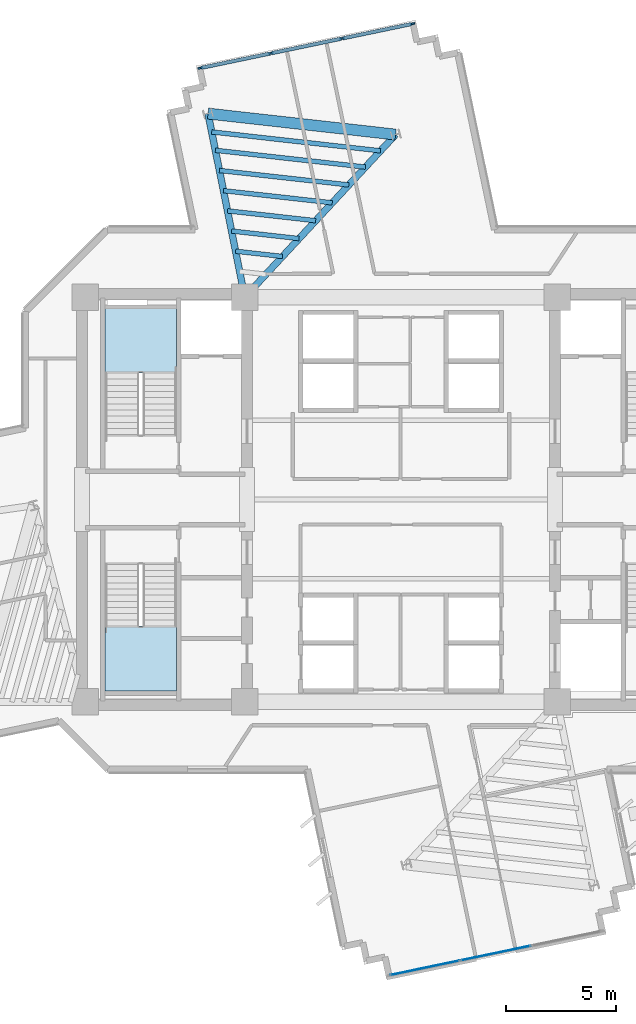
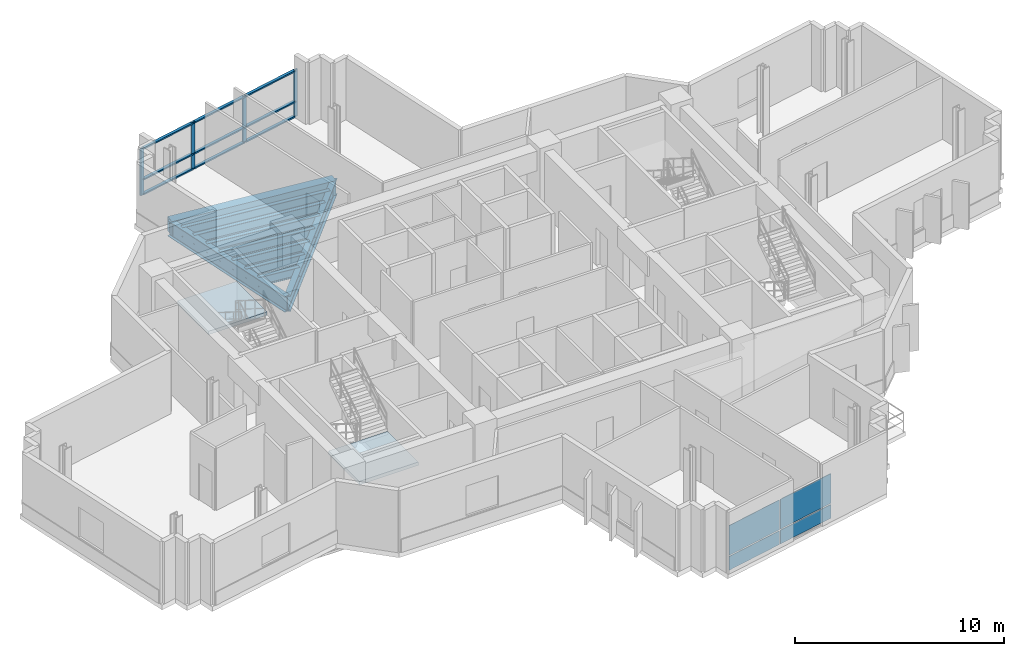
# One storey, part 5 of 14: 13 members, 10 beams, 4 plates, 2 slabs, 4 elements without a shape of their own.
"""IFC4 building model written with IfcOpenShell, lengths in metres."""

import ifcopenshell
import ifcopenshell.guid

model = None  # the IFC model being written
_history = None  # IfcOwnerHistory: only IFC2X3 demands one
_inside = {}  # id of a spatial element -> (the spatial element, [elements in it])
_under = {}  # id of a project, library or spatial element -> (it, [spatial elements below it])
_declared = {}  # id of a project -> (the project, [libraries it declares])
_typed = {}  # id of a type object -> (the type object, [elements of that type])
_made_of = {}  # id of a material, layer set ... -> (it, [elements and type objects made of it])


def new_model(schema):
    """Start an empty IFC model of exactly this schema.

    Asked for "IFC4X3", IfcOpenShell would pick the latest addendum, in which some entities
    have other attributes; the version numbers below select the first issue.
    IFC2X3 requires an IfcOwnerHistory on every rooted entity: one is made here for all.
    """
    global model, _history
    if schema == "IFC4X3":
        model = ifcopenshell.file(schema_version=(4, 3, 0, 0))
    else:
        model = ifcopenshell.file(schema=schema)
    _inside.clear()
    _under.clear()
    _declared.clear()
    _typed.clear()
    _made_of.clear()
    _history = None
    if model.schema == "IFC2X3":
        org = make("IfcOrganization", Name="unknown")
        user = make(
            "IfcPersonAndOrganization",
            ThePerson=make("IfcPerson", FamilyName="unknown"),
            TheOrganization=org,
        )
        app = make(
            "IfcApplication",
            ApplicationDeveloper=org,
            Version="unknown",
            ApplicationFullName="unknown",
            ApplicationIdentifier="unknown",
        )
        _history = make(
            "IfcOwnerHistory",
            OwningUser=user,
            OwningApplication=app,
            ChangeAction="ADDED",
            CreationDate=0,
        )
    return model


def make(cls, **values):
    """One entity of the class cls with the attributes given. An attribute that is None is left unset."""
    return model.create_entity(
        cls, **{name: value for name, value in values.items() if value is not None}
    )


def rooted(cls, **values):
    """An entity with a GlobalId (a new one), such as an element, a storey or a relation."""
    return make(cls, GlobalId=ifcopenshell.guid.new(), OwnerHistory=_history, **values)


def si_unit(unit_type, name, prefix=None):
    """IfcSIUnit, for example si_unit("LENGTHUNIT", "METRE", prefix="MILLI")."""
    return make("IfcSIUnit", UnitType=unit_type, Prefix=prefix, Name=name)


def assignment(units):
    """IfcUnitAssignment: the units of a project."""
    return None if units is None else make("IfcUnitAssignment", Units=units)


def point(xyz):
    """IfcCartesianPoint."""
    return None if xyz is None else make("IfcCartesianPoint", Coordinates=xyz)


def direction(xyz):
    """IfcDirection."""
    return None if xyz is None else make("IfcDirection", DirectionRatios=xyz)


def frame(location, z_axis=None, x_axis=None):
    """IfcAxis2Placement3D, a coordinate frame: its origin and axes. An axis left out is left unset."""
    return make(
        "IfcAxis2Placement3D",
        Location=point(location),
        Axis=direction(z_axis),
        RefDirection=direction(x_axis),
    )


def frame_2d(location, x_axis=None):
    """IfcAxis2Placement2D, a coordinate frame in the plane: its origin and x axis."""
    return make(
        "IfcAxis2Placement2D", Location=point(location), RefDirection=direction(x_axis)
    )


def origin():
    """The frame at (0, 0, 0) with its axes left unset."""
    return frame((0.0, 0.0, 0.0))


def origin_2d():
    """The frame at (0, 0) in the plane with its x axis left unset."""
    return frame_2d((0.0, 0.0))


def place(relative_to, where):
    """IfcLocalPlacement: puts the frame where relative to a parent placement (None: the world)."""
    return make(
        "IfcLocalPlacement", PlacementRelTo=relative_to, RelativePlacement=where
    )


def context(
    kind, dimensions, precision=None, world=None, true_north=None, identifier=None
):
    """IfcGeometricRepresentationContext, for example the 3D "Model" context."""
    return make(
        "IfcGeometricRepresentationContext",
        ContextIdentifier=identifier,
        ContextType=kind,
        CoordinateSpaceDimension=dimensions,
        Precision=precision,
        WorldCoordinateSystem=world,
        TrueNorth=true_north,
    )


def subcontext(parent, identifier, kind, view, scale=None):
    """IfcGeometricRepresentationSubContext, for example "Body" below "Model"."""
    return make(
        "IfcGeometricRepresentationSubContext",
        ContextIdentifier=identifier,
        ContextType=kind,
        ParentContext=parent,
        TargetScale=scale,
        TargetView=view,
    )


def project(units=None, contexts=None):
    """IfcProject with its units and contexts."""
    return rooted(
        "IfcProject",
        Name="project",
        RepresentationContexts=contexts,
        UnitsInContext=assignment(units),
    )


def spatial(cls, under=None, at=None, **own):
    """A site, building, storey or space (cls), placed at a placement, below another one or the project."""
    s = rooted(cls, ObjectPlacement=at, **own)
    if under is not None:
        _under.setdefault(under.id(), (under, []))[1].append(s)
    return s


def polyline(points):
    """IfcPolyline through the points."""
    return make("IfcPolyline", Points=[point(p) for p in points])


def profile(cls, at=None, kind="AREA", **sizes):
    """A parametric profile (cls). Its sizes go by their IFC names, for example OverallWidth=200.0."""
    return make(cls, ProfileType=kind, Position=at, **sizes)


def rectangle(**sizes):
    """IfcRectangleProfileDef."""
    return profile("IfcRectangleProfileDef", **sizes)


def i_section(**sizes):
    """IfcIShapeProfileDef."""
    return profile("IfcIShapeProfileDef", **sizes)


def outline(outer, holes=None, kind="AREA"):
    """IfcArbitraryClosedProfileDef: a profile drawn as a closed curve; with holes, ...WithVoids."""
    if holes is None:
        return make("IfcArbitraryClosedProfileDef", ProfileType=kind, OuterCurve=outer)
    return make(
        "IfcArbitraryProfileDefWithVoids",
        ProfileType=kind,
        OuterCurve=outer,
        InnerCurves=holes,
    )


def extrude(swept, where, along, depth):
    """IfcExtrudedAreaSolid: the profile swept, set in the frame where, extruded along a direction by depth."""
    return make(
        "IfcExtrudedAreaSolid",
        SweptArea=swept,
        Position=where,
        ExtrudedDirection=direction(along),
        Depth=depth,
    )


def shape(context_of_items, identifier, shape_type, items):
    """IfcShapeRepresentation: the items that make up one representation, for example the "Body"."""
    return make(
        "IfcShapeRepresentation",
        ContextOfItems=context_of_items,
        RepresentationIdentifier=identifier,
        RepresentationType=shape_type,
        Items=items,
    )


def source(mapping_origin, context_of_items, identifier, shape_type, items):
    """IfcRepresentationMap: a shape defined once, which mapped items show again and again."""
    return make(
        "IfcRepresentationMap",
        MappingOrigin=mapping_origin,
        MappedRepresentation=shape(context_of_items, identifier, shape_type, items),
    )


def transform(
    local_origin,
    x_axis=None,
    y_axis=None,
    z_axis=None,
    scale=None,
    scale2=None,
    scale3=None,
    uniform=True,
):
    """IfcCartesianTransformationOperator3D, or its non-uniform kind. x_axis, y_axis, z_axis: its Axis1, 2, 3."""
    if uniform:
        return make(
            "IfcCartesianTransformationOperator3D",
            Axis1=direction(x_axis),
            Axis2=direction(y_axis),
            LocalOrigin=point(local_origin),
            Scale=scale,
            Axis3=direction(z_axis),
        )
    return make(
        "IfcCartesianTransformationOperator3DnonUniform",
        Axis1=direction(x_axis),
        Axis2=direction(y_axis),
        LocalOrigin=point(local_origin),
        Scale=scale,
        Axis3=direction(z_axis),
        Scale2=scale2,
        Scale3=scale3,
    )


def mapped(mapping_source, mapping_target):
    """IfcMappedItem: shows the shape of a source again, moved by a transform."""
    return make(
        "IfcMappedItem", MappingSource=mapping_source, MappingTarget=mapping_target
    )


def material(Name=None, Category=None):
    """IfcMaterial."""
    return make("IfcMaterial", Name=Name, Category=Category)


def layer(
    of_material, thickness, ventilated=None, Name=None, Category=None, Priority=None
):
    """IfcMaterialLayer: one layer of a wall or slab, of a material (None: an air gap)."""
    return make(
        "IfcMaterialLayer",
        Material=of_material,
        LayerThickness=thickness,
        IsVentilated=ventilated,
        Name=Name,
        Category=Category,
        Priority=Priority,
    )


def layer_set(layers, Name=None):
    """IfcMaterialLayerSet."""
    return make("IfcMaterialLayerSet", MaterialLayers=layers, LayerSetName=Name)


def material_profile(
    of_material, cross_section, Name=None, Category=None, Priority=None
):
    """IfcMaterialProfile: a cross section and its material."""
    return make(
        "IfcMaterialProfile",
        Name=Name,
        Material=of_material,
        Profile=cross_section,
        Priority=Priority,
        Category=Category,
    )


def profile_set(profiles, Name=None, composite=None):
    """IfcMaterialProfileSet."""
    return make(
        "IfcMaterialProfileSet",
        Name=Name,
        MaterialProfiles=profiles,
        CompositeProfile=composite,
    )


def made_of(thing, what):
    """Note that an element or type object is made of a material, layer set ...; save() writes the relation."""
    if what is not None:
        _made_of.setdefault(what.id(), (what, []))[1].append(thing)
    return thing


def type_object(cls, material=None, **own):
    """A type object (cls), such as IfcWallType, which elements share."""
    return made_of(rooted(cls, **own), material)


def element(
    cls,
    number,
    at=None,
    inside=None,
    cuts=None,
    type_object=None,
    material=None,
    context=None,
    identifier="Body",
    shape_type=None,
    held_by="IfcProductDefinitionShape",
    body=None,
    shapes=None,
    **own,
):
    """One element of the class cls, such as IfcWall. Its Tag is "e" and its number.

    at: its placement. inside: the storey or other place that contains it. cuts: it is an
    opening in that element (IfcRelVoidsElement). A single representation is given by context,
    identifier, shape_type and body (its items); several are given by shapes. held_by: the class
    of the entity that holds the representations. save() writes the other relations.
    """
    e = rooted(cls, Tag="e%d" % number, ObjectPlacement=at, **own)
    if body is not None:
        shapes = [shape(context, identifier, shape_type, body)]
    if shapes is not None:
        e.Representation = make(held_by, Representations=shapes)
    if inside is not None:
        _inside.setdefault(inside.id(), (inside, []))[1].append(e)
    if cuts is not None:
        rooted(
            "IfcRelVoidsElement", RelatingBuildingElement=cuts, RelatedOpeningElement=e
        )
    if type_object is not None:
        _typed.setdefault(type_object.id(), (type_object, []))[1].append(e)
    return made_of(e, material)


def aggregate(whole, parts):
    """IfcRelAggregates: a whole, such as a stair, and the parts it consists of."""
    return rooted("IfcRelAggregates", RelatingObject=whole, RelatedObjects=parts)


def save(model, path):
    """Write the relations noted so far, then the file.

    IfcRelAggregates (storeys below a building ...), IfcRelContainedInSpatialStructure (elements
    in a storey), IfcRelDefinesByType, IfcRelAssociatesMaterial and IfcRelDeclares: one each for
    every whole, place, type object, material and project.
    """
    for whole, parts in _under.values():
        aggregate(whole, parts)
    for where, things in _inside.values():
        rooted(
            "IfcRelContainedInSpatialStructure",
            RelatedElements=things,
            RelatingStructure=where,
        )
    for kind, things in _typed.values():
        rooted("IfcRelDefinesByType", RelatedObjects=things, RelatingType=kind)
    for what, things in _made_of.values():
        rooted("IfcRelAssociatesMaterial", RelatedObjects=things, RelatingMaterial=what)
    for by, libraries in _declared.values():
        rooted("IfcRelDeclares", RelatingContext=by, RelatedDefinitions=libraries)
    model.write(path)


model = new_model("IFC4")

# Units and contexts
model_context = context("Model", 3, precision=1e-05, world=origin(), true_north=direction((0.0, 1.0)))
body_context = subcontext(model_context, "Body", "Model", "MODEL_VIEW")
ifc_project = project(units=[si_unit("LENGTHUNIT", "METRE"), si_unit("AREAUNIT", "SQUARE_METRE"), si_unit("VOLUMEUNIT", "CUBIC_METRE"), si_unit("PLANEANGLEUNIT", "RADIAN"), si_unit("MASSUNIT", "GRAM", prefix="KILO")], contexts=[model_context])

# Site, building, storey
site_placement = place(None, origin())
site = spatial("IfcSite", under=ifc_project, at=site_placement, CompositionType="ELEMENT")
building_placement = place(site_placement, origin())
building = spatial("IfcBuilding", under=site, at=building_placement, Name="Zahravan Cultural Tower", CompositionType="ELEMENT")
storey_placement = place(building_placement, frame((0.0, 0.0, 159.0)))
storey = spatial("IfcBuildingStorey", under=building, at=storey_placement, Name="L36", CompositionType="ELEMENT", Elevation=159.0)

# Beams
ifc_material_1 = material(Name="Steel ASTM A992 Grade 50", Category="steel")
ifc_material_profile_1 = material_profile(ifc_material_1, i_section(OverallWidth=0.304931640625, OverallDepth=0.9189453125, WebThickness=0.017333984375, FlangeThickness=0.02783203125, FilletRadius=0.02392578125, at=origin_2d()), Name="W36X170")
ifc_profile_set_1 = profile_set([ifc_material_profile_1], Name="Steel ASTM A992 Grade 50")
beam_type_1 = type_object("IfcBeamType", Name="BM-G-W36X170", PredefinedType="BEAM", material=ifc_profile_set_1)
shared_shape_1 = source(origin(), body_context, "Body", "SweptSolid", [
    extrude(i_section(OverallWidth=0.304931640625, OverallDepth=0.9189453125, WebThickness=0.017333984375, FlangeThickness=0.02783203125, FilletRadius=0.02392578125, at=origin_2d()), origin(), (0.0, 0.0, 1.0), 10.077880859375),
])
beam_1_placement = place(storey_placement, frame((28.89990234375, 36.199951171875, -0.739501953125), z_axis=(0.680170435587, 0.733054007938, 0.0), x_axis=(-0.733054007938, 0.680170435587, 0.0)))
element("IfcBeam", 1, at=beam_1_placement, inside=storey, type_object=beam_type_1, Name="L36 Beam BG-L36-13", PredefinedType="BEAM", context=body_context, shape_type="MappedRepresentation", body=[
    mapped(shared_shape_1, transform((0.0, 0.0, 0.0), x_axis=(1.0, 0.0, 0.0), y_axis=(0.0, 1.0, 0.0), z_axis=(0.0, 0.0, 1.0), scale=1.0)),
])
shared_shape_2 = source(origin(), body_context, "Body", "SweptSolid", [
    extrude(i_section(OverallWidth=0.304931640625, OverallDepth=0.9189453125, WebThickness=0.017333984375, FlangeThickness=0.02783203125, FilletRadius=0.02392578125, at=origin_2d()), origin(), (0.0, 0.0, 1.0), 8.50732421875),
])
beam_2_placement = place(storey_placement, frame((28.89990234375, 36.199951171875, -0.739501953125), z_axis=(-0.196524514012, 0.980498911469, 0.0), x_axis=(-0.980498911469, -0.196524514012, 0.0)))
element("IfcBeam", 2, at=beam_2_placement, inside=storey, type_object=beam_type_1, Name="L36 Beam BG-L36-14", PredefinedType="BEAM", context=body_context, shape_type="MappedRepresentation", body=[
    mapped(shared_shape_2, transform((0.0, 0.0, 0.0), x_axis=(1.0, 0.0, 0.0), y_axis=(0.0, 1.0, 0.0), z_axis=(0.0, 0.0, 1.0), scale=1.0)),
])
ifc_material_2 = material(Name="Concrete C50/60", Category="concrete")
ifc_material_profile_2 = material_profile(ifc_material_2, rectangle(XDim=0.5, YDim=0.85009765625, at=origin_2d()), Name="RC500X850")
ifc_profile_set_2 = profile_set([ifc_material_profile_2], Name="Concrete C50/60")
beam_type_2 = type_object("IfcBeamType", Name="BM-SP-RC500X850", PredefinedType="SPANDREL", material=ifc_profile_set_2)
shared_shape_3 = source(origin(), body_context, "Body", "SweptSolid", [
    extrude(rectangle(XDim=0.5, YDim=0.85009765625, at=origin_2d()), origin(), (0.0, 0.0, 1.0), 8.579833984375),
])
beam_3_placement = place(storey_placement, frame((35.754638671875, 43.587646484375, -0.705078125), z_axis=(-0.9938040105, 0.11114669907, 0.0), x_axis=(-0.11114669907, -0.9938040105, 0.0)))
element("IfcBeam", 3, at=beam_3_placement, inside=storey, type_object=beam_type_2, Name="L36 Beam SP-L36-22", PredefinedType="SPANDREL", context=body_context, shape_type="MappedRepresentation", body=[
    mapped(shared_shape_3, transform((0.0, 0.0, 0.0), x_axis=(1.0, 0.0, 0.0), y_axis=(0.0, 1.0, 0.0), z_axis=(0.0, 0.0, 1.0), scale=1.0)),
])
ifc_material_profile_3 = material_profile(ifc_material_1, i_section(OverallWidth=0.2099609375, OverallDepth=0.532958984375, WebThickness=0.01025390625, FlangeThickness=0.015625, FilletRadius=0.013916015625, at=origin_2d()), Name="W21X62")
ifc_profile_set_3 = profile_set([ifc_material_profile_3], Name="Steel ASTM A992 Grade 50")
beam_type_3 = type_object("IfcBeamType", Name="BM-J-W21X62", PredefinedType="JOIST", material=ifc_profile_set_3)
shared_shape_4 = source(origin(), body_context, "Body", "SweptSolid", [
    extrude(i_section(OverallWidth=0.2099609375, OverallDepth=0.532958984375, WebThickness=0.01025390625, FlangeThickness=0.015625, FilletRadius=0.013916015625, at=origin_2d()), origin(), (0.0, 0.0, 1.0), 2.144775390625),
])
beam_4_placement = place(storey_placement, frame((30.613525390625, 38.046875, -0.54638671875), z_axis=(-0.993797370806, 0.111206051, 0.0), x_axis=(-0.111206051, -0.993797370806, 0.0)))
element("IfcBeam", 4, at=beam_4_placement, inside=storey, type_object=beam_type_3, Name="L36 Beam BJ-L36-51", PredefinedType="JOIST", context=body_context, shape_type="MappedRepresentation", body=[
    mapped(shared_shape_4, transform((0.0, 0.0, 0.0), x_axis=(1.0, 0.0, 0.0), y_axis=(0.0, 1.0, 0.0), z_axis=(0.0, 0.0, 1.0), scale=1.0)),
])
shared_shape_5 = source(origin(), body_context, "Body", "SweptSolid", [
    extrude(i_section(OverallWidth=0.2099609375, OverallDepth=0.532958984375, WebThickness=0.01025390625, FlangeThickness=0.015625, FilletRadius=0.013916015625, at=origin_2d()), origin(), (0.0, 0.0, 1.0), 3.088623046875),
])
beam_5_placement = place(storey_placement, frame((31.36767578125, 38.859619140625, -0.54638671875), z_axis=(-0.993805407368, 0.111134208443, 0.0), x_axis=(-0.111134208443, -0.993805407368, 0.0)))
element("IfcBeam", 5, at=beam_5_placement, inside=storey, type_object=beam_type_3, Name="L36 Beam BJ-L36-52", PredefinedType="JOIST", context=body_context, shape_type="MappedRepresentation", body=[
    mapped(shared_shape_5, transform((0.0, 0.0, 0.0), x_axis=(1.0, 0.0, 0.0), y_axis=(0.0, 1.0, 0.0), z_axis=(0.0, 0.0, 1.0), scale=1.0)),
])
shared_shape_6 = source(origin(), body_context, "Body", "SweptSolid", [
    extrude(i_section(OverallWidth=0.2099609375, OverallDepth=0.532958984375, WebThickness=0.01025390625, FlangeThickness=0.015625, FilletRadius=0.013916015625, at=origin_2d()), origin(), (0.0, 0.0, 1.0), 4.0322265625),
])
beam_6_placement = place(storey_placement, frame((32.12158203125, 39.672119140625, -0.54638671875), z_axis=(-0.993802245601, 0.11116247855, 0.0), x_axis=(-0.11116247855, -0.993802245601, 0.0)))
element("IfcBeam", 6, at=beam_6_placement, inside=storey, type_object=beam_type_3, Name="L36 Beam BJ-L36-53", PredefinedType="JOIST", context=body_context, shape_type="MappedRepresentation", body=[
    mapped(shared_shape_6, transform((0.0, 0.0, 0.0), x_axis=(1.0, 0.0, 0.0), y_axis=(0.0, 1.0, 0.0), z_axis=(0.0, 0.0, 1.0), scale=1.0)),
])
shared_shape_7 = source(origin(), body_context, "Body", "SweptSolid", [
    extrude(i_section(OverallWidth=0.2099609375, OverallDepth=0.532958984375, WebThickness=0.01025390625, FlangeThickness=0.015625, FilletRadius=0.013916015625, at=origin_2d()), origin(), (0.0, 0.0, 1.0), 4.97607421875),
])
beam_7_placement = place(storey_placement, frame((32.875732421875, 40.48486328125, -0.54638671875), z_axis=(-0.993806308517, 0.111126149723, 0.0), x_axis=(-0.111126149723, -0.993806308517, 0.0)))
element("IfcBeam", 7, at=beam_7_placement, inside=storey, type_object=beam_type_3, Name="L36 Beam BJ-L36-54", PredefinedType="JOIST", context=body_context, shape_type="MappedRepresentation", body=[
    mapped(shared_shape_7, transform((0.0, 0.0, 0.0), x_axis=(1.0, 0.0, 0.0), y_axis=(0.0, 1.0, 0.0), z_axis=(0.0, 0.0, 1.0), scale=1.0)),
])
shared_shape_8 = source(origin(), body_context, "Body", "SweptSolid", [
    extrude(i_section(OverallWidth=0.2099609375, OverallDepth=0.532958984375, WebThickness=0.01025390625, FlangeThickness=0.015625, FilletRadius=0.013916015625, at=origin_2d()), origin(), (0.0, 0.0, 1.0), 5.919921875),
])
beam_8_placement = place(storey_placement, frame((33.629638671875, 41.29736328125, -0.54638671875), z_axis=(-0.993804520866, 0.111142135602, 0.0), x_axis=(-0.111142135602, -0.993804520866, 0.0)))
element("IfcBeam", 8, at=beam_8_placement, inside=storey, type_object=beam_type_3, Name="L36 Beam BJ-L36-55", PredefinedType="JOIST", context=body_context, shape_type="MappedRepresentation", body=[
    mapped(shared_shape_8, transform((0.0, 0.0, 0.0), x_axis=(1.0, 0.0, 0.0), y_axis=(0.0, 1.0, 0.0), z_axis=(0.0, 0.0, 1.0), scale=1.0)),
])
shared_shape_9 = source(origin(), body_context, "Body", "SweptSolid", [
    extrude(i_section(OverallWidth=0.2099609375, OverallDepth=0.532958984375, WebThickness=0.01025390625, FlangeThickness=0.015625, FilletRadius=0.013916015625, at=origin_2d()), origin(), (0.0, 0.0, 1.0), 6.86376953125),
])
beam_9_placement = place(storey_placement, frame((34.3837890625, 42.110107421875, -0.54638671875), z_axis=(-0.993803224695, 0.111153725024, 0.0), x_axis=(-0.111153725024, -0.993803224695, 0.0)))
element("IfcBeam", 9, at=beam_9_placement, inside=storey, type_object=beam_type_3, Name="L36 Beam BJ-L36-56", PredefinedType="JOIST", context=body_context, shape_type="MappedRepresentation", body=[
    mapped(shared_shape_9, transform((0.0, 0.0, 0.0), x_axis=(1.0, 0.0, 0.0), y_axis=(0.0, 1.0, 0.0), z_axis=(0.0, 0.0, 1.0), scale=1.0)),
])
shared_shape_10 = source(origin(), body_context, "Body", "SweptSolid", [
    extrude(i_section(OverallWidth=0.2099609375, OverallDepth=0.532958984375, WebThickness=0.01025390625, FlangeThickness=0.015625, FilletRadius=0.013916015625, at=origin_2d()), origin(), (0.0, 0.0, 1.0), 7.7216796875),
])
beam_10_placement = place(storey_placement, frame((35.069091796875, 42.848876953125, -0.54638671875), z_axis=(-0.993805212115, 0.11113595446, 0.0), x_axis=(-0.11113595446, -0.993805212115, 0.0)))
element("IfcBeam", 10, at=beam_10_placement, inside=storey, type_object=beam_type_3, Name="L36 Beam BJ-L36-57", PredefinedType="JOIST", context=body_context, shape_type="MappedRepresentation", body=[
    mapped(shared_shape_10, transform((0.0, 0.0, 0.0), x_axis=(1.0, 0.0, 0.0), y_axis=(0.0, 1.0, 0.0), z_axis=(0.0, 0.0, 1.0), scale=1.0)),
])

# Curtain wall, members
ifc_material_3 = material(Name="Anodised bronze-aluminium mullion", Category="aluminium")
ifc_layer_1 = layer(ifc_material_3, 0.219970703125)
ifc_layer_set_1 = layer_set([ifc_layer_1], Name="Anodised bronze-aluminium mullion")
curtain_wall_type_1 = type_object("IfcCurtainWallType", Name="CW-SYS-1", PredefinedType="USERDEFINED", material=ifc_layer_set_1)
curtain_wall_1_placement = place(storey_placement, origin())
curtain_wall_1 = element("IfcCurtainWall", 11, at=curtain_wall_1_placement, inside=storey, type_object=curtain_wall_type_1, Name="L36 Recessed Curtain Wall CW-1.2", ObjectType="RECESSED GLAZING", PredefinedType="USERDEFINED")
ifc_material_profile_4 = material_profile(ifc_material_3, rectangle(XDim=0.159912109375, YDim=0.080078125, at=origin_2d()), Name="AL-T80X160")
ifc_profile_set_4 = profile_set([ifc_material_profile_4], Name="Anodised bronze-aluminium mullion")
member_type_1 = type_object("IfcMemberType", Name="CWT-CW-1", PredefinedType="USERDEFINED", material=ifc_profile_set_4)
shared_shape_11 = source(origin(), body_context, "Body", "SweptSolid", [
    extrude(rectangle(XDim=0.159912109375, YDim=0.080078125, at=origin_2d()), origin(), (0.0, 0.0, 1.0), 3.186767578125),
])
member_1_placement = place(storey_placement, frame((26.923095703125, 46.6201171875, 0.0400390625), z_axis=(0.978935780904, 0.204168403202, 0.0), x_axis=(-0.204168403202, 0.978935780904, 0.0)))
member_1 = element("IfcMember", 12, at=member_1_placement, type_object=member_type_1, Name="CW-1 transom 1.1", ObjectType="TRANSOM", PredefinedType="USERDEFINED", context=body_context, shape_type="MappedRepresentation", body=[
    mapped(shared_shape_11, transform((0.0, 0.0, 0.0), x_axis=(1.0, 0.0, 0.0), y_axis=(0.0, 1.0, 0.0), z_axis=(0.0, 0.0, 1.0), scale=1.0)),
])
member_2_placement = place(storey_placement, frame((26.923095703125, 46.6201171875, 0.89990234375), z_axis=(0.978935780904, 0.204168403202, 0.0), x_axis=(-0.204168403202, 0.978935780904, 0.0)))
member_2 = element("IfcMember", 13, at=member_2_placement, type_object=member_type_1, Name="CW-1 transom 1.2", ObjectType="TRANSOM", PredefinedType="USERDEFINED", context=body_context, shape_type="MappedRepresentation", body=[
    mapped(shared_shape_11, transform((0.0, 0.0, 0.0), x_axis=(1.0, 0.0, 0.0), y_axis=(0.0, 1.0, 0.0), z_axis=(0.0, 0.0, 1.0), scale=1.0)),
])
member_3_placement = place(storey_placement, frame((26.923095703125, 46.6201171875, 2.699951171875), z_axis=(0.978935780904, 0.204168403202, 0.0), x_axis=(-0.204168403202, 0.978935780904, 0.0)))
member_3 = element("IfcMember", 14, at=member_3_placement, type_object=member_type_1, Name="CW-1 transom 1.3", ObjectType="TRANSOM", PredefinedType="USERDEFINED", context=body_context, shape_type="MappedRepresentation", body=[
    mapped(shared_shape_11, transform((0.0, 0.0, 0.0), x_axis=(1.0, 0.0, 0.0), y_axis=(0.0, 1.0, 0.0), z_axis=(0.0, 0.0, 1.0), scale=1.0)),
])
member_4_placement = place(storey_placement, frame((33.358154296875, 47.962158203125, 0.0400390625), z_axis=(0.978935780904, 0.204168403202, 0.0), x_axis=(-0.204168403202, 0.978935780904, 0.0)))
member_4 = element("IfcMember", 15, at=member_4_placement, type_object=member_type_1, Name="CW-1 transom 3.1", ObjectType="TRANSOM", PredefinedType="USERDEFINED", context=body_context, shape_type="MappedRepresentation", body=[
    mapped(shared_shape_11, transform((0.0, 0.0, 0.0), x_axis=(1.0, 0.0, 0.0), y_axis=(0.0, 1.0, 0.0), z_axis=(0.0, 0.0, 1.0), scale=1.0)),
])
member_5_placement = place(storey_placement, frame((33.358154296875, 47.962158203125, 0.89990234375), z_axis=(0.978935780904, 0.204168403202, 0.0), x_axis=(-0.204168403202, 0.978935780904, 0.0)))
member_5 = element("IfcMember", 16, at=member_5_placement, type_object=member_type_1, Name="CW-1 transom 3.2", ObjectType="TRANSOM", PredefinedType="USERDEFINED", context=body_context, shape_type="MappedRepresentation", body=[
    mapped(shared_shape_11, transform((0.0, 0.0, 0.0), x_axis=(1.0, 0.0, 0.0), y_axis=(0.0, 1.0, 0.0), z_axis=(0.0, 0.0, 1.0), scale=1.0)),
])
member_6_placement = place(storey_placement, frame((33.358154296875, 47.962158203125, 2.699951171875), z_axis=(0.978935780904, 0.204168403202, 0.0), x_axis=(-0.204168403202, 0.978935780904, 0.0)))
member_6 = element("IfcMember", 17, at=member_6_placement, type_object=member_type_1, Name="CW-1 transom 3.3", ObjectType="TRANSOM", PredefinedType="USERDEFINED", context=body_context, shape_type="MappedRepresentation", body=[
    mapped(shared_shape_11, transform((0.0, 0.0, 0.0), x_axis=(1.0, 0.0, 0.0), y_axis=(0.0, 1.0, 0.0), z_axis=(0.0, 0.0, 1.0), scale=1.0)),
])
ifc_material_profile_5 = material_profile(ifc_material_3, rectangle(XDim=0.080078125, YDim=0.219970703125, at=origin_2d()), Name="AL-M80X220")
ifc_profile_set_5 = profile_set([ifc_material_profile_5], Name="Anodised bronze-aluminium mullion")
member_type_2 = type_object("IfcMemberType", Name="CWM-CW-1", PredefinedType="MULLION", material=ifc_profile_set_5)
shared_shape_12 = source(origin(), body_context, "Body", "SweptSolid", [
    extrude(rectangle(XDim=0.080078125, YDim=0.219970703125, at=origin_2d()), origin(), (0.0, 0.0, 1.0), 2.739990234375),
])
member_7_placement = place(storey_placement, frame((26.884033203125, 46.612060546875, 0.0), z_axis=(0.0, 0.0, 1.0), x_axis=(-0.204162369415, 0.978937039301, 0.0)))
member_7 = element("IfcMember", 18, at=member_7_placement, type_object=member_type_2, Name="CW-1 mullion 1", PredefinedType="MULLION", context=body_context, shape_type="MappedRepresentation", body=[
    mapped(shared_shape_12, transform((0.0, 0.0, 0.0), x_axis=(1.0, 0.0, 0.0), y_axis=(0.0, 1.0, 0.0), z_axis=(0.0, 0.0, 1.0), scale=1.0)),
])
member_8_placement = place(storey_placement, frame((30.08203125, 47.27880859375, 0.0), z_axis=(0.0, 0.0, 1.0), x_axis=(-0.204162369415, 0.978937039301, 0.0)))
member_8 = element("IfcMember", 19, at=member_8_placement, type_object=member_type_2, Name="CW-1 mullion 2", PredefinedType="MULLION", context=body_context, shape_type="MappedRepresentation", body=[
    mapped(shared_shape_12, transform((0.0, 0.0, 0.0), x_axis=(1.0, 0.0, 0.0), y_axis=(0.0, 1.0, 0.0), z_axis=(0.0, 0.0, 1.0), scale=1.0)),
])
member_9_placement = place(storey_placement, frame((33.31884765625, 47.9541015625, 0.0), z_axis=(0.0, 0.0, 1.0), x_axis=(-0.204162369415, 0.978937039301, 0.0)))
member_9 = element("IfcMember", 20, at=member_9_placement, type_object=member_type_2, Name="CW-1 mullion 3", PredefinedType="MULLION", context=body_context, shape_type="MappedRepresentation", body=[
    mapped(shared_shape_12, transform((0.0, 0.0, 0.0), x_axis=(1.0, 0.0, 0.0), y_axis=(0.0, 1.0, 0.0), z_axis=(0.0, 0.0, 1.0), scale=1.0)),
])
member_10_placement = place(storey_placement, frame((36.516845703125, 48.620849609375, 0.0), z_axis=(0.0, 0.0, 1.0), x_axis=(-0.204162369415, 0.978937039301, 0.0)))
member_10 = element("IfcMember", 21, at=member_10_placement, type_object=member_type_2, Name="CW-1 mullion 4", PredefinedType="MULLION", context=body_context, shape_type="MappedRepresentation", body=[
    mapped(shared_shape_12, transform((0.0, 0.0, 0.0), x_axis=(1.0, 0.0, 0.0), y_axis=(0.0, 1.0, 0.0), z_axis=(0.0, 0.0, 1.0), scale=1.0)),
])
shared_shape_13 = source(origin(), body_context, "Body", "SweptSolid", [
    extrude(rectangle(XDim=0.159912109375, YDim=0.080078125, at=origin_2d()), origin(), (0.0, 0.0, 1.0), 3.2265625),
])
member_11_placement = place(storey_placement, frame((30.12109375, 47.287109375, 0.0400390625), z_axis=(0.978941373772, 0.204141584977, 0.0), x_axis=(-0.204141584977, 0.978941373772, 0.0)))
member_11 = element("IfcMember", 22, at=member_11_placement, type_object=member_type_1, Name="CW-1 transom 2.1", ObjectType="TRANSOM", PredefinedType="USERDEFINED", context=body_context, shape_type="MappedRepresentation", body=[
    mapped(shared_shape_13, transform((0.0, 0.0, 0.0), x_axis=(1.0, 0.0, 0.0), y_axis=(0.0, 1.0, 0.0), z_axis=(0.0, 0.0, 1.0), scale=1.0)),
])
member_12_placement = place(storey_placement, frame((30.12109375, 47.287109375, 0.89990234375), z_axis=(0.978941373772, 0.204141584977, 0.0), x_axis=(-0.204141584977, 0.978941373772, 0.0)))
member_12 = element("IfcMember", 23, at=member_12_placement, type_object=member_type_1, Name="CW-1 transom 2.2", ObjectType="TRANSOM", PredefinedType="USERDEFINED", context=body_context, shape_type="MappedRepresentation", body=[
    mapped(shared_shape_13, transform((0.0, 0.0, 0.0), x_axis=(1.0, 0.0, 0.0), y_axis=(0.0, 1.0, 0.0), z_axis=(0.0, 0.0, 1.0), scale=1.0)),
])
member_13_placement = place(storey_placement, frame((30.12109375, 47.287109375, 2.699951171875), z_axis=(0.978941373772, 0.204141584977, 0.0), x_axis=(-0.204141584977, 0.978941373772, 0.0)))
member_13 = element("IfcMember", 24, at=member_13_placement, type_object=member_type_1, Name="CW-1 transom 2.3", ObjectType="TRANSOM", PredefinedType="USERDEFINED", context=body_context, shape_type="MappedRepresentation", body=[
    mapped(shared_shape_13, transform((0.0, 0.0, 0.0), x_axis=(1.0, 0.0, 0.0), y_axis=(0.0, 1.0, 0.0), z_axis=(0.0, 0.0, 1.0), scale=1.0)),
])
aggregate(curtain_wall_1, [member_7, member_8, member_9, member_10, member_1, member_2, member_3, member_11, member_12, member_13, member_4, member_5, member_6])

# Stair, slab
ifc_material_4 = material(Name="Concrete C45/55", Category="concrete")
stair_type = type_object("IfcStairType", Name="STR-DL-1550-390", PredefinedType="HALF_TURN_STAIR", material=ifc_material_4)
stair_1_placement = place(storey_placement, origin())
stair_1 = element("IfcStair", 25, at=stair_1_placement, inside=storey, type_object=stair_type, Name="L36 West Core North Exit Stair ST-W1", PredefinedType="HALF_TURN_STAIR")
ifc_layer_2 = layer(ifc_material_4, 0.199951171875)
ifc_layer_set_2 = layer_set([ifc_layer_2], Name="Concrete C45/55")
slab_type = type_object("IfcSlabType", Name="SL-STAIR-LND200", PredefinedType="LANDING", material=ifc_layer_set_2)
slab_1_placement = place(storey_placement, frame((0.0, 0.0, 1.75)))
slab_1 = element("IfcSlab", 26, at=slab_1_placement, type_object=slab_type, Name="ST-W1 landing 1", PredefinedType="LANDING", context=body_context, shape_type="SweptSolid", body=[
    extrude(outline(polyline([(25.800048828125, 32.75), (25.800048828125, 35.699951171875), (22.550048828125, 35.699951171875), (22.550048828125, 32.75), (25.800048828125, 32.75)])), origin(), (0.0, 0.0, 1.0), 0.199951171875),
])
aggregate(stair_1, [slab_1])

stair_2_placement = place(storey_placement, origin())
stair_2 = element("IfcStair", 27, at=stair_2_placement, inside=storey, type_object=stair_type, Name="L36 West Core South Exit Stair ST-W2", PredefinedType="HALF_TURN_STAIR")
slab_2_placement = place(storey_placement, frame((0.0, 0.0, 1.75)))
slab_2 = element("IfcSlab", 28, at=slab_2_placement, type_object=slab_type, Name="ST-W2 landing 1", PredefinedType="LANDING", context=body_context, shape_type="SweptSolid", body=[
    extrude(outline(polyline([(22.550048828125, 21.25), (22.550048828125, 18.300048828125), (25.800048828125, 18.300048828125), (25.800048828125, 21.25), (22.550048828125, 21.25)])), origin(), (0.0, 0.0, 1.0), 0.199951171875),
])
aggregate(stair_2, [slab_2])

# Curtain wall, plates
ifc_layer_3 = layer(ifc_material_3, 0.1650390625)
ifc_layer_set_3 = layer_set([ifc_layer_3], Name="Anodised bronze-aluminium mullion")
curtain_wall_type_2 = type_object("IfcCurtainWallType", Name="CW-SYS-4", PredefinedType="USERDEFINED", material=ifc_layer_set_3)
curtain_wall_2_placement = place(storey_placement, origin())
curtain_wall_2 = element("IfcCurtainWall", 29, at=curtain_wall_2_placement, inside=storey, type_object=curtain_wall_type_2, Name="L36 Recessed Curtain Wall CW-4.1", ObjectType="RECESSED GLAZING", PredefinedType="USERDEFINED")
ifc_material_5 = material(Name="Low-E solar-control double glazing", Category="glass")
ifc_layer_4 = layer(ifc_material_5, 0.02587890625)
ifc_layer_set_4 = layer_set([ifc_layer_4], Name="Low-E solar-control double glazing")
plate_type = type_object("IfcPlateType", Name="CWP-CW-4", PredefinedType="CURTAIN_PANEL", material=ifc_layer_set_4)
shared_shape_14 = source(origin(), body_context, "Body", "SweptSolid", [
    extrude(rectangle(XDim=3.209228515625, YDim=0.02587890625, at=origin_2d()), origin(), (0.0, 0.0, 1.0), 0.802490234375),
])
plate_1_placement = place(storey_placement, frame((37.078369140625, 5.711669921875, 0.06494140625), z_axis=(0.0, 0.0, 1.0), x_axis=(-0.978937039301, -0.204162369415, 0.0)))
plate_1 = element("IfcPlate", 30, at=plate_1_placement, type_object=plate_type, Name="CW-4 panel 3.1", PredefinedType="CURTAIN_PANEL", context=body_context, shape_type="MappedRepresentation", body=[
    mapped(shared_shape_14, transform((0.0, 0.0, 0.0), x_axis=(1.0, 0.0, 0.0), y_axis=(0.0, 1.0, 0.0), z_axis=(0.0, 0.0, 1.0), scale=1.0)),
])
shared_shape_15 = source(origin(), body_context, "Body", "SweptSolid", [
    extrude(rectangle(XDim=3.209228515625, YDim=0.02587890625, at=origin_2d()), origin(), (0.0, 0.0, 1.0), 1.742431640625),
])
plate_2_placement = place(storey_placement, frame((37.078369140625, 5.711669921875, 0.9326171875), z_axis=(0.0, 0.0, 1.0), x_axis=(-0.978937039301, -0.204162369415, 0.0)))
plate_2 = element("IfcPlate", 31, at=plate_2_placement, type_object=plate_type, Name="CW-4 panel 3.2", PredefinedType="CURTAIN_PANEL", context=body_context, shape_type="MappedRepresentation", body=[
    mapped(shared_shape_15, transform((0.0, 0.0, 0.0), x_axis=(1.0, 0.0, 0.0), y_axis=(0.0, 1.0, 0.0), z_axis=(0.0, 0.0, 1.0), scale=1.0)),
])
shared_shape_16 = source(origin(), body_context, "Body", "SweptSolid", [
    extrude(rectangle(XDim=3.24169921875, YDim=0.02587890625, at=origin_2d()), origin(), (0.0, 0.0, 1.0), 0.802490234375),
])
plate_3_placement = place(storey_placement, frame((40.299560546875, 6.383544921875, 0.06494140625), z_axis=(0.0, 0.0, 1.0), x_axis=(-0.978937039301, -0.204162369415, 0.0)))
plate_3 = element("IfcPlate", 32, at=plate_3_placement, type_object=plate_type, Name="CW-4 panel 2.1", PredefinedType="CURTAIN_PANEL", context=body_context, shape_type="MappedRepresentation", body=[
    mapped(shared_shape_16, transform((0.0, 0.0, 0.0), x_axis=(1.0, 0.0, 0.0), y_axis=(0.0, 1.0, 0.0), z_axis=(0.0, 0.0, 1.0), scale=1.0)),
])
shared_shape_17 = source(origin(), body_context, "Body", "SweptSolid", [
    extrude(rectangle(XDim=3.24169921875, YDim=0.02587890625, at=origin_2d()), origin(), (0.0, 0.0, 1.0), 1.742431640625),
])
plate_4_placement = place(storey_placement, frame((40.299560546875, 6.383544921875, 0.9326171875), z_axis=(0.0, 0.0, 1.0), x_axis=(-0.978937039301, -0.204162369415, 0.0)))
plate_4 = element("IfcPlate", 33, at=plate_4_placement, type_object=plate_type, Name="CW-4 panel 2.2", PredefinedType="CURTAIN_PANEL", context=body_context, shape_type="MappedRepresentation", body=[
    mapped(shared_shape_17, transform((0.0, 0.0, 0.0), x_axis=(1.0, 0.0, 0.0), y_axis=(0.0, 1.0, 0.0), z_axis=(0.0, 0.0, 1.0), scale=1.0)),
])
aggregate(curtain_wall_2, [plate_3, plate_4, plate_1, plate_2])

save(model, "model.ifc")
